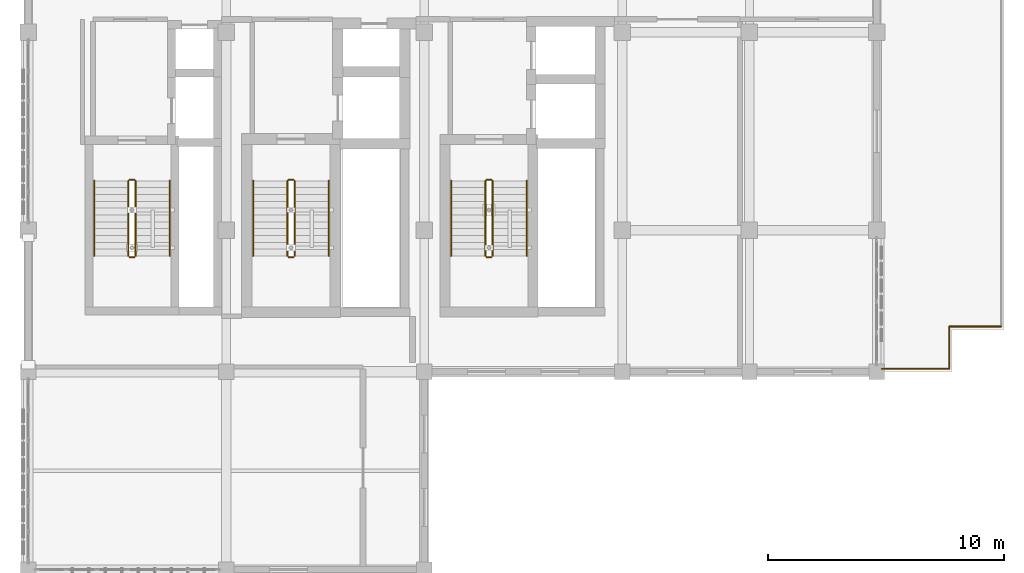
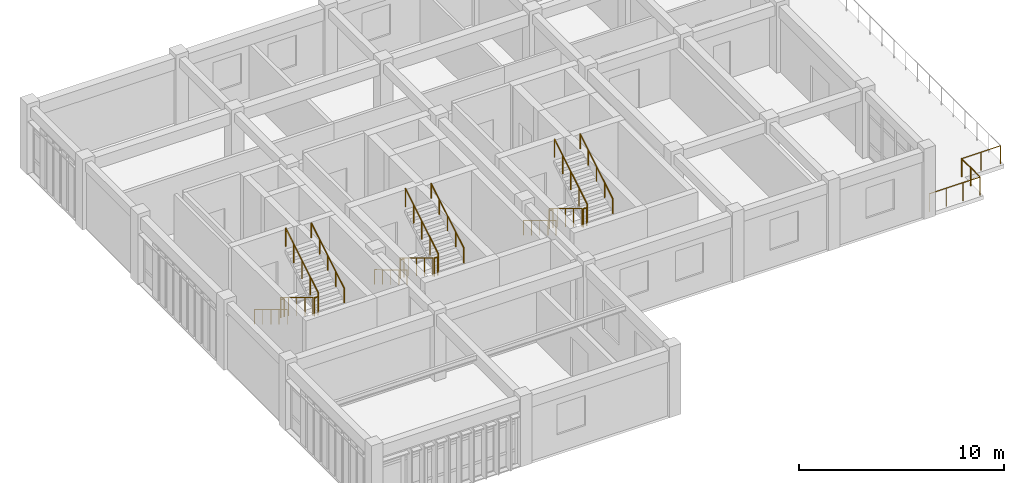
# One storey, part 22 of 23: 21 railings.
"""IFC4 building model written with IfcOpenShell, lengths in metres."""

from ifc_helpers import new_model, si_unit, direction, frame, origin, origin_2d, place, context, subcontext, project, spatial, circle, extrude, material, type_object, element, save


model = new_model("IFC4")

# Units and contexts
model_context = context("Model", 3, precision=1e-05, world=origin(), true_north=direction((0.0, 1.0)))
body_context = subcontext(model_context, "Body", "Model", "MODEL_VIEW")
ifc_project = project(units=[si_unit("LENGTHUNIT", "METRE"), si_unit("AREAUNIT", "SQUARE_METRE"), si_unit("VOLUMEUNIT", "CUBIC_METRE"), si_unit("PLANEANGLEUNIT", "RADIAN"), si_unit("MASSUNIT", "GRAM", prefix="KILO")], contexts=[model_context])

# Site, building, storey
site_placement = place(None, origin())
site = spatial("IfcSite", under=ifc_project, at=site_placement, CompositionType="ELEMENT")
building_placement = place(site_placement, origin())
building = spatial("IfcBuilding", under=site, at=building_placement, Name="Krzemoval Escarpment Law Courts", CompositionType="ELEMENT")
storey_placement = place(building_placement, frame((0.0, 0.0, 33.60009765625)))
storey = spatial("IfcBuildingStorey", under=building, at=storey_placement, Name="L07", CompositionType="ELEMENT", Elevation=33.60009765625)

# Railings
ifc_material_1 = material(Name="Stainless Steel Grade 316L and Laminated Safety Glass Guard", Category="steel")
railing_type_1 = type_object("IfcRailingType", Name="RL-BAL-1100", PredefinedType="BALUSTRADE", material=ifc_material_1)
railing_1_placement = place(storey_placement, frame((167.280029296875, 95.52001953125, 0.0)))
element("IfcRailing", 1, at=railing_1_placement, inside=storey, type_object=railing_type_1, Name="Terrace Guardrail BG-L07-039", PredefinedType="BALUSTRADE", context=body_context, shape_type="SweptSolid", body=[
    extrude(circle(Radius=0.02392578125, at=origin_2d()), frame((0.0, 0.0, 1.076171875), z_axis=(-1.0, 0.0, 0.0), x_axis=(0.0, -1.0, 0.0)), (0.0, 0.0, 1.0), 2.199951171875),
    extrude(circle(Radius=0.02099609375, at=origin_2d()), origin(), (0.0, 0.0, 1.0), 1.052001953125),
    extrude(circle(Radius=0.02099609375, at=origin_2d()), frame((-1.10009765625, 0.0, 0.0)), (0.0, 0.0, 1.0), 1.052001953125),
    extrude(circle(Radius=0.02099609375, at=origin_2d()), frame((-2.199951171875, 0.0, 0.0)), (0.0, 0.0, 1.0), 1.052001953125),
])
railing_2_placement = place(storey_placement, frame((165.080078125, 95.52001953125, 0.0)))
element("IfcRailing", 2, at=railing_2_placement, inside=storey, type_object=railing_type_1, Name="Terrace Guardrail BG-L07-040", PredefinedType="BALUSTRADE", context=body_context, shape_type="SweptSolid", body=[
    extrude(circle(Radius=0.02392578125, at=origin_2d()), frame((0.0, 0.0, 1.076171875), z_axis=(0.0, -1.0, 0.0), x_axis=(1.0, 0.0, 0.0)), (0.0, 0.0, 1.0), 1.800048828125),
    extrude(circle(Radius=0.02099609375, at=origin_2d()), origin(), (0.0, 0.0, 1.0), 1.052001953125),
    extrude(circle(Radius=0.02099609375, at=origin_2d()), frame((0.0, -0.89990234375, 0.0)), (0.0, 0.0, 1.0), 1.052001953125),
    extrude(circle(Radius=0.02099609375, at=origin_2d()), frame((0.0, -1.800048828125, 0.0)), (0.0, 0.0, 1.0), 1.052001953125),
])
railing_3_placement = place(storey_placement, frame((165.080078125, 93.719970703125, 0.0)))
element("IfcRailing", 3, at=railing_3_placement, inside=storey, type_object=railing_type_1, Name="Terrace Guardrail BG-L07-041", PredefinedType="BALUSTRADE", context=body_context, shape_type="SweptSolid", body=[
    extrude(circle(Radius=0.02392578125, at=origin_2d()), frame((0.0, 0.0, 1.076171875), z_axis=(-1.0, 0.0, 0.0), x_axis=(0.0, -1.0, 0.0)), (0.0, 0.0, 1.0), 2.860107421875),
    extrude(circle(Radius=0.02099609375, at=origin_2d()), origin(), (0.0, 0.0, 1.0), 1.052001953125),
    extrude(circle(Radius=0.02099609375, at=origin_2d()), frame((-0.953369140625, 0.0, 0.0)), (0.0, 0.0, 1.0), 1.052001953125),
    extrude(circle(Radius=0.02099609375, at=origin_2d()), frame((-1.90673828125, 0.0, 0.0)), (0.0, 0.0, 1.0), 1.052001953125),
    extrude(circle(Radius=0.02099609375, at=origin_2d()), frame((-2.860107421875, 0.0, 0.0)), (0.0, 0.0, 1.0), 1.052001953125),
])
ifc_material_2 = material(Name="Galvanised Steel S355", Category="steel")
railing_type_2 = type_object("IfcRailingType", Name="RL-GRD-1100", PredefinedType="GUARDRAIL", material=ifc_material_2)
railing_4_placement = place(storey_placement, frame((130.25, 101.699951171875, 0.1748046875)))
element("IfcRailing", 4, at=railing_4_placement, inside=storey, type_object=railing_type_2, Name="L07 ST1 stair guard 1", PredefinedType="GUARDRAIL", context=body_context, shape_type="SweptSolid", body=[
    extrude(circle(Radius=0.02392578125, at=origin_2d()), frame((0.0, 0.0, 1.076171875), z_axis=(0.0, -0.856177665481, 0.516681531633), x_axis=(1.0, 0.0, 0.0)), (0.0, 0.0, 1.0), 3.725830078125),
    extrude(circle(Radius=0.02099609375, at=origin_2d()), origin(), (0.0, 0.0, 1.0), 1.052001953125),
    extrude(circle(Radius=0.02099609375, at=origin_2d()), frame((0.0, -0.79736328125, 0.481201171875)), (0.0, 0.0, 1.0), 1.052001953125),
    extrude(circle(Radius=0.02099609375, at=origin_2d()), frame((0.0, -1.594970703125, 0.96240234375)), (0.0, 0.0, 1.0), 1.052001953125),
    extrude(circle(Radius=0.02099609375, at=origin_2d()), frame((0.0, -2.392578125, 1.44384765625)), (0.0, 0.0, 1.0), 1.052001953125),
    extrude(circle(Radius=0.02099609375, at=origin_2d()), frame((0.0, -3.18994140625, 1.925048828125)), (0.0, 0.0, 1.0), 1.052001953125),
])
railing_5_placement = place(storey_placement, frame((130.300048828125, 98.4599609375, 2.099853515625)))
element("IfcRailing", 5, at=railing_5_placement, inside=storey, type_object=railing_type_2, Name="L07 ST1 stair guard 2", PredefinedType="GUARDRAIL", context=body_context, shape_type="SweptSolid", body=[
    extrude(circle(Radius=0.02392578125, at=origin_2d()), frame((0.0, 0.0, 1.076171875), z_axis=(1.0, 0.0, 0.0), x_axis=(0.0, 1.0, 0.0)), (0.0, 0.0, 1.0), 0.199951171875),
    extrude(circle(Radius=0.02099609375, at=origin_2d()), origin(), (0.0, 0.0, 1.0), 1.052001953125),
    extrude(circle(Radius=0.02099609375, at=origin_2d()), frame((0.199951171875, 0.0, 0.0)), (0.0, 0.0, 1.0), 1.052001953125),
])
railing_6_placement = place(storey_placement, frame((130.550048828125, 98.510009765625, 2.27490234375)))
element("IfcRailing", 6, at=railing_6_placement, inside=storey, type_object=railing_type_2, Name="L07 ST1 stair guard 3", PredefinedType="GUARDRAIL", context=body_context, shape_type="SweptSolid", body=[
    extrude(circle(Radius=0.02392578125, at=origin_2d()), frame((0.0, 0.0, 1.076171875), z_axis=(0.0, 0.856177665481, 0.516681531633), x_axis=(-1.0, 0.0, 0.0)), (0.0, 0.0, 1.0), 3.725830078125),
    extrude(circle(Radius=0.02099609375, at=origin_2d()), origin(), (0.0, 0.0, 1.0), 1.052001953125),
    extrude(circle(Radius=0.02099609375, at=origin_2d()), frame((0.0, 0.79736328125, 0.481201171875)), (0.0, 0.0, 1.0), 1.052001953125),
    extrude(circle(Radius=0.02099609375, at=origin_2d()), frame((0.0, 1.594970703125, 0.96240234375)), (0.0, 0.0, 1.0), 1.052001953125),
    extrude(circle(Radius=0.02099609375, at=origin_2d()), frame((0.0, 2.392578125, 1.44384765625)), (0.0, 0.0, 1.0), 1.052001953125),
    extrude(circle(Radius=0.02099609375, at=origin_2d()), frame((0.0, 3.18994140625, 1.925048828125)), (0.0, 0.0, 1.0), 1.052001953125),
])
railing_7_placement = place(storey_placement, frame((130.300048828125, 101.75, 0.0)))
element("IfcRailing", 7, at=railing_7_placement, inside=storey, type_object=railing_type_2, Name="L07 ST1 stair guard 4", PredefinedType="GUARDRAIL", context=body_context, shape_type="SweptSolid", body=[
    extrude(circle(Radius=0.02392578125, at=origin_2d()), frame((0.0, 0.0, 1.076171875), z_axis=(1.0, 0.0, 0.0), x_axis=(0.0, 1.0, 0.0)), (0.0, 0.0, 1.0), 0.199951171875),
    extrude(circle(Radius=0.02099609375, at=origin_2d()), origin(), (0.0, 0.0, 1.0), 1.052001953125),
    extrude(circle(Radius=0.02099609375, at=origin_2d()), frame((0.199951171875, 0.0, 0.0)), (0.0, 0.0, 1.0), 1.052001953125),
])
railing_8_placement = place(storey_placement, frame((137.0, 101.699951171875, 0.1748046875)))
element("IfcRailing", 8, at=railing_8_placement, inside=storey, type_object=railing_type_2, Name="L07 ST2 stair guard 1", PredefinedType="GUARDRAIL", context=body_context, shape_type="SweptSolid", body=[
    extrude(circle(Radius=0.02392578125, at=origin_2d()), frame((0.0, 0.0, 1.076171875), z_axis=(0.0, -0.856177665481, 0.516681531633), x_axis=(1.0, 0.0, 0.0)), (0.0, 0.0, 1.0), 3.725830078125),
    extrude(circle(Radius=0.02099609375, at=origin_2d()), origin(), (0.0, 0.0, 1.0), 1.052001953125),
    extrude(circle(Radius=0.02099609375, at=origin_2d()), frame((0.0, -0.79736328125, 0.481201171875)), (0.0, 0.0, 1.0), 1.052001953125),
    extrude(circle(Radius=0.02099609375, at=origin_2d()), frame((0.0, -1.594970703125, 0.96240234375)), (0.0, 0.0, 1.0), 1.052001953125),
    extrude(circle(Radius=0.02099609375, at=origin_2d()), frame((0.0, -2.392578125, 1.44384765625)), (0.0, 0.0, 1.0), 1.052001953125),
    extrude(circle(Radius=0.02099609375, at=origin_2d()), frame((0.0, -3.18994140625, 1.925048828125)), (0.0, 0.0, 1.0), 1.052001953125),
])
railing_9_placement = place(storey_placement, frame((137.050048828125, 98.4599609375, 2.099853515625)))
element("IfcRailing", 9, at=railing_9_placement, inside=storey, type_object=railing_type_2, Name="L07 ST2 stair guard 2", PredefinedType="GUARDRAIL", context=body_context, shape_type="SweptSolid", body=[
    extrude(circle(Radius=0.02392578125, at=origin_2d()), frame((0.0, 0.0, 1.076171875), z_axis=(1.0, 0.0, 0.0), x_axis=(0.0, 1.0, 0.0)), (0.0, 0.0, 1.0), 0.199951171875),
    extrude(circle(Radius=0.02099609375, at=origin_2d()), origin(), (0.0, 0.0, 1.0), 1.052001953125),
    extrude(circle(Radius=0.02099609375, at=origin_2d()), frame((0.199951171875, 0.0, 0.0)), (0.0, 0.0, 1.0), 1.052001953125),
])
railing_10_placement = place(storey_placement, frame((137.300048828125, 98.510009765625, 2.27490234375)))
element("IfcRailing", 10, at=railing_10_placement, inside=storey, type_object=railing_type_2, Name="L07 ST2 stair guard 3", PredefinedType="GUARDRAIL", context=body_context, shape_type="SweptSolid", body=[
    extrude(circle(Radius=0.02392578125, at=origin_2d()), frame((0.0, 0.0, 1.076171875), z_axis=(0.0, 0.856177665481, 0.516681531633), x_axis=(-1.0, 0.0, 0.0)), (0.0, 0.0, 1.0), 3.725830078125),
    extrude(circle(Radius=0.02099609375, at=origin_2d()), origin(), (0.0, 0.0, 1.0), 1.052001953125),
    extrude(circle(Radius=0.02099609375, at=origin_2d()), frame((0.0, 0.79736328125, 0.481201171875)), (0.0, 0.0, 1.0), 1.052001953125),
    extrude(circle(Radius=0.02099609375, at=origin_2d()), frame((0.0, 1.594970703125, 0.96240234375)), (0.0, 0.0, 1.0), 1.052001953125),
    extrude(circle(Radius=0.02099609375, at=origin_2d()), frame((0.0, 2.392578125, 1.44384765625)), (0.0, 0.0, 1.0), 1.052001953125),
    extrude(circle(Radius=0.02099609375, at=origin_2d()), frame((0.0, 3.18994140625, 1.925048828125)), (0.0, 0.0, 1.0), 1.052001953125),
])
railing_11_placement = place(storey_placement, frame((137.050048828125, 101.75, 0.0)))
element("IfcRailing", 11, at=railing_11_placement, inside=storey, type_object=railing_type_2, Name="L07 ST2 stair guard 4", PredefinedType="GUARDRAIL", context=body_context, shape_type="SweptSolid", body=[
    extrude(circle(Radius=0.02392578125, at=origin_2d()), frame((0.0, 0.0, 1.076171875), z_axis=(1.0, 0.0, 0.0), x_axis=(0.0, 1.0, 0.0)), (0.0, 0.0, 1.0), 0.199951171875),
    extrude(circle(Radius=0.02099609375, at=origin_2d()), origin(), (0.0, 0.0, 1.0), 1.052001953125),
    extrude(circle(Radius=0.02099609375, at=origin_2d()), frame((0.199951171875, 0.0, 0.0)), (0.0, 0.0, 1.0), 1.052001953125),
])
railing_12_placement = place(storey_placement, frame((145.39990234375, 101.699951171875, 0.1748046875)))
element("IfcRailing", 12, at=railing_12_placement, inside=storey, type_object=railing_type_2, Name="L07 ST3 stair guard 1", PredefinedType="GUARDRAIL", context=body_context, shape_type="SweptSolid", body=[
    extrude(circle(Radius=0.02392578125, at=origin_2d()), frame((0.0, 0.0, 1.076171875), z_axis=(0.0, -0.856177665481, 0.516681531633), x_axis=(1.0, 0.0, 0.0)), (0.0, 0.0, 1.0), 3.725830078125),
    extrude(circle(Radius=0.02099609375, at=origin_2d()), origin(), (0.0, 0.0, 1.0), 1.052001953125),
    extrude(circle(Radius=0.02099609375, at=origin_2d()), frame((0.0, -0.79736328125, 0.481201171875)), (0.0, 0.0, 1.0), 1.052001953125),
    extrude(circle(Radius=0.02099609375, at=origin_2d()), frame((0.0, -1.594970703125, 0.96240234375)), (0.0, 0.0, 1.0), 1.052001953125),
    extrude(circle(Radius=0.02099609375, at=origin_2d()), frame((0.0, -2.392578125, 1.44384765625)), (0.0, 0.0, 1.0), 1.052001953125),
    extrude(circle(Radius=0.02099609375, at=origin_2d()), frame((0.0, -3.18994140625, 1.925048828125)), (0.0, 0.0, 1.0), 1.052001953125),
])
railing_13_placement = place(storey_placement, frame((145.449951171875, 98.4599609375, 2.099853515625)))
element("IfcRailing", 13, at=railing_13_placement, inside=storey, type_object=railing_type_2, Name="L07 ST3 stair guard 2", PredefinedType="GUARDRAIL", context=body_context, shape_type="SweptSolid", body=[
    extrude(circle(Radius=0.02392578125, at=origin_2d()), frame((0.0, 0.0, 1.076171875), z_axis=(1.0, 0.0, 0.0), x_axis=(0.0, 1.0, 0.0)), (0.0, 0.0, 1.0), 0.199951171875),
    extrude(circle(Radius=0.02099609375, at=origin_2d()), origin(), (0.0, 0.0, 1.0), 1.052001953125),
    extrude(circle(Radius=0.02099609375, at=origin_2d()), frame((0.199951171875, 0.0, 0.0)), (0.0, 0.0, 1.0), 1.052001953125),
])
railing_14_placement = place(storey_placement, frame((145.699951171875, 98.510009765625, 2.27490234375)))
element("IfcRailing", 14, at=railing_14_placement, inside=storey, type_object=railing_type_2, Name="L07 ST3 stair guard 3", PredefinedType="GUARDRAIL", context=body_context, shape_type="SweptSolid", body=[
    extrude(circle(Radius=0.02392578125, at=origin_2d()), frame((0.0, 0.0, 1.076171875), z_axis=(0.0, 0.856177665481, 0.516681531633), x_axis=(-1.0, 0.0, 0.0)), (0.0, 0.0, 1.0), 3.725830078125),
    extrude(circle(Radius=0.02099609375, at=origin_2d()), origin(), (0.0, 0.0, 1.0), 1.052001953125),
    extrude(circle(Radius=0.02099609375, at=origin_2d()), frame((0.0, 0.79736328125, 0.481201171875)), (0.0, 0.0, 1.0), 1.052001953125),
    extrude(circle(Radius=0.02099609375, at=origin_2d()), frame((0.0, 1.594970703125, 0.96240234375)), (0.0, 0.0, 1.0), 1.052001953125),
    extrude(circle(Radius=0.02099609375, at=origin_2d()), frame((0.0, 2.392578125, 1.44384765625)), (0.0, 0.0, 1.0), 1.052001953125),
    extrude(circle(Radius=0.02099609375, at=origin_2d()), frame((0.0, 3.18994140625, 1.925048828125)), (0.0, 0.0, 1.0), 1.052001953125),
])
railing_15_placement = place(storey_placement, frame((145.449951171875, 101.75, 0.0)))
element("IfcRailing", 15, at=railing_15_placement, inside=storey, type_object=railing_type_2, Name="L07 ST3 stair guard 4", PredefinedType="GUARDRAIL", context=body_context, shape_type="SweptSolid", body=[
    extrude(circle(Radius=0.02392578125, at=origin_2d()), frame((0.0, 0.0, 1.076171875), z_axis=(1.0, 0.0, 0.0), x_axis=(0.0, 1.0, 0.0)), (0.0, 0.0, 1.0), 0.199951171875),
    extrude(circle(Radius=0.02099609375, at=origin_2d()), origin(), (0.0, 0.0, 1.0), 1.052001953125),
    extrude(circle(Radius=0.02099609375, at=origin_2d()), frame((0.199951171875, 0.0, 0.0)), (0.0, 0.0, 1.0), 1.052001953125),
])
ifc_material_3 = material(Name="Brushed Stainless Steel Grade 304 Handrail", Category="steel")
railing_type_3 = type_object("IfcRailingType", Name="RL-HND-900", PredefinedType="HANDRAIL", material=ifc_material_3)
railing_16_placement = place(storey_placement, frame((128.800048828125, 101.699951171875, 0.1748046875)))
element("IfcRailing", 16, at=railing_16_placement, inside=storey, type_object=railing_type_3, Name="L07 ST1 stair handrail 1", PredefinedType="HANDRAIL", context=body_context, shape_type="SweptSolid", body=[
    extrude(circle(Radius=0.02392578125, at=origin_2d()), frame((0.0, 0.0, 0.8759765625), z_axis=(0.0, -0.856177665481, 0.516681531633), x_axis=(1.0, 0.0, 0.0)), (0.0, 0.0, 1.0), 3.725830078125),
    extrude(circle(Radius=0.02099609375, at=origin_2d()), origin(), (0.0, 0.0, 1.0), 0.851806640625),
    extrude(circle(Radius=0.02099609375, at=origin_2d()), frame((0.0, -0.79736328125, 0.481201171875)), (0.0, 0.0, 1.0), 0.851806640625),
    extrude(circle(Radius=0.02099609375, at=origin_2d()), frame((0.0, -1.594970703125, 0.96240234375)), (0.0, 0.0, 1.0), 0.851806640625),
    extrude(circle(Radius=0.02099609375, at=origin_2d()), frame((0.0, -2.392578125, 1.44384765625)), (0.0, 0.0, 1.0), 0.851806640625),
    extrude(circle(Radius=0.02099609375, at=origin_2d()), frame((0.0, -3.18994140625, 1.925048828125)), (0.0, 0.0, 1.0), 0.851806640625),
])
railing_17_placement = place(storey_placement, frame((132.0, 98.510009765625, 2.27490234375)))
element("IfcRailing", 17, at=railing_17_placement, inside=storey, type_object=railing_type_3, Name="L07 ST1 stair handrail 2", PredefinedType="HANDRAIL", context=body_context, shape_type="SweptSolid", body=[
    extrude(circle(Radius=0.02392578125, at=origin_2d()), frame((0.0, 0.0, 0.8759765625), z_axis=(0.0, 0.856177665481, 0.516681531633), x_axis=(-1.0, 0.0, 0.0)), (0.0, 0.0, 1.0), 3.725830078125),
    extrude(circle(Radius=0.02099609375, at=origin_2d()), origin(), (0.0, 0.0, 1.0), 0.851806640625),
    extrude(circle(Radius=0.02099609375, at=origin_2d()), frame((0.0, 0.79736328125, 0.481201171875)), (0.0, 0.0, 1.0), 0.851806640625),
    extrude(circle(Radius=0.02099609375, at=origin_2d()), frame((0.0, 1.594970703125, 0.96240234375)), (0.0, 0.0, 1.0), 0.851806640625),
    extrude(circle(Radius=0.02099609375, at=origin_2d()), frame((0.0, 2.392578125, 1.44384765625)), (0.0, 0.0, 1.0), 0.851806640625),
    extrude(circle(Radius=0.02099609375, at=origin_2d()), frame((0.0, 3.18994140625, 1.925048828125)), (0.0, 0.0, 1.0), 0.851806640625),
])
railing_18_placement = place(storey_placement, frame((135.550048828125, 101.699951171875, 0.1748046875)))
element("IfcRailing", 18, at=railing_18_placement, inside=storey, type_object=railing_type_3, Name="L07 ST2 stair handrail 1", PredefinedType="HANDRAIL", context=body_context, shape_type="SweptSolid", body=[
    extrude(circle(Radius=0.02392578125, at=origin_2d()), frame((0.0, 0.0, 0.8759765625), z_axis=(0.0, -0.856177665481, 0.516681531633), x_axis=(1.0, 0.0, 0.0)), (0.0, 0.0, 1.0), 3.725830078125),
    extrude(circle(Radius=0.02099609375, at=origin_2d()), origin(), (0.0, 0.0, 1.0), 0.851806640625),
    extrude(circle(Radius=0.02099609375, at=origin_2d()), frame((0.0, -0.79736328125, 0.481201171875)), (0.0, 0.0, 1.0), 0.851806640625),
    extrude(circle(Radius=0.02099609375, at=origin_2d()), frame((0.0, -1.594970703125, 0.96240234375)), (0.0, 0.0, 1.0), 0.851806640625),
    extrude(circle(Radius=0.02099609375, at=origin_2d()), frame((0.0, -2.392578125, 1.44384765625)), (0.0, 0.0, 1.0), 0.851806640625),
    extrude(circle(Radius=0.02099609375, at=origin_2d()), frame((0.0, -3.18994140625, 1.925048828125)), (0.0, 0.0, 1.0), 0.851806640625),
])
railing_19_placement = place(storey_placement, frame((138.75, 98.510009765625, 2.27490234375)))
element("IfcRailing", 19, at=railing_19_placement, inside=storey, type_object=railing_type_3, Name="L07 ST2 stair handrail 2", PredefinedType="HANDRAIL", context=body_context, shape_type="SweptSolid", body=[
    extrude(circle(Radius=0.02392578125, at=origin_2d()), frame((0.0, 0.0, 0.8759765625), z_axis=(0.0, 0.856177665481, 0.516681531633), x_axis=(-1.0, 0.0, 0.0)), (0.0, 0.0, 1.0), 3.725830078125),
    extrude(circle(Radius=0.02099609375, at=origin_2d()), origin(), (0.0, 0.0, 1.0), 0.851806640625),
    extrude(circle(Radius=0.02099609375, at=origin_2d()), frame((0.0, 0.79736328125, 0.481201171875)), (0.0, 0.0, 1.0), 0.851806640625),
    extrude(circle(Radius=0.02099609375, at=origin_2d()), frame((0.0, 1.594970703125, 0.96240234375)), (0.0, 0.0, 1.0), 0.851806640625),
    extrude(circle(Radius=0.02099609375, at=origin_2d()), frame((0.0, 2.392578125, 1.44384765625)), (0.0, 0.0, 1.0), 0.851806640625),
    extrude(circle(Radius=0.02099609375, at=origin_2d()), frame((0.0, 3.18994140625, 1.925048828125)), (0.0, 0.0, 1.0), 0.851806640625),
])
railing_20_placement = place(storey_placement, frame((143.949951171875, 101.699951171875, 0.1748046875)))
element("IfcRailing", 20, at=railing_20_placement, inside=storey, type_object=railing_type_3, Name="L07 ST3 stair handrail 1", PredefinedType="HANDRAIL", context=body_context, shape_type="SweptSolid", body=[
    extrude(circle(Radius=0.02392578125, at=origin_2d()), frame((0.0, 0.0, 0.8759765625), z_axis=(0.0, -0.856177665481, 0.516681531633), x_axis=(1.0, 0.0, 0.0)), (0.0, 0.0, 1.0), 3.725830078125),
    extrude(circle(Radius=0.02099609375, at=origin_2d()), origin(), (0.0, 0.0, 1.0), 0.851806640625),
    extrude(circle(Radius=0.02099609375, at=origin_2d()), frame((0.0, -0.79736328125, 0.481201171875)), (0.0, 0.0, 1.0), 0.851806640625),
    extrude(circle(Radius=0.02099609375, at=origin_2d()), frame((0.0, -1.594970703125, 0.96240234375)), (0.0, 0.0, 1.0), 0.851806640625),
    extrude(circle(Radius=0.02099609375, at=origin_2d()), frame((0.0, -2.392578125, 1.44384765625)), (0.0, 0.0, 1.0), 0.851806640625),
    extrude(circle(Radius=0.02099609375, at=origin_2d()), frame((0.0, -3.18994140625, 1.925048828125)), (0.0, 0.0, 1.0), 0.851806640625),
])
railing_21_placement = place(storey_placement, frame((147.14990234375, 98.510009765625, 2.27490234375)))
element("IfcRailing", 21, at=railing_21_placement, inside=storey, type_object=railing_type_3, Name="L07 ST3 stair handrail 2", PredefinedType="HANDRAIL", context=body_context, shape_type="SweptSolid", body=[
    extrude(circle(Radius=0.02392578125, at=origin_2d()), frame((0.0, 0.0, 0.8759765625), z_axis=(0.0, 0.856177665481, 0.516681531633), x_axis=(-1.0, 0.0, 0.0)), (0.0, 0.0, 1.0), 3.725830078125),
    extrude(circle(Radius=0.02099609375, at=origin_2d()), origin(), (0.0, 0.0, 1.0), 0.851806640625),
    extrude(circle(Radius=0.02099609375, at=origin_2d()), frame((0.0, 0.79736328125, 0.481201171875)), (0.0, 0.0, 1.0), 0.851806640625),
    extrude(circle(Radius=0.02099609375, at=origin_2d()), frame((0.0, 1.594970703125, 0.96240234375)), (0.0, 0.0, 1.0), 0.851806640625),
    extrude(circle(Radius=0.02099609375, at=origin_2d()), frame((0.0, 2.392578125, 1.44384765625)), (0.0, 0.0, 1.0), 0.851806640625),
    extrude(circle(Radius=0.02099609375, at=origin_2d()), frame((0.0, 3.18994140625, 1.925048828125)), (0.0, 0.0, 1.0), 0.851806640625),
])

save(model, "model.ifc")
